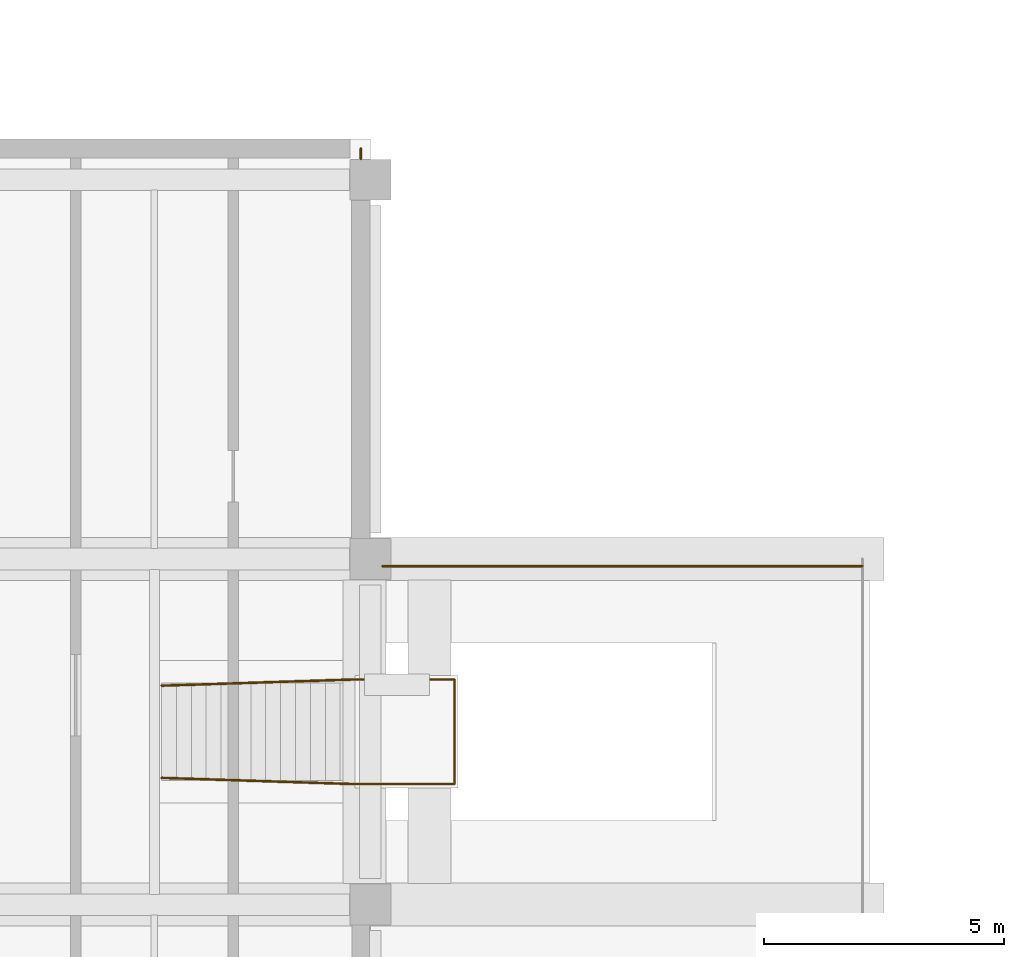
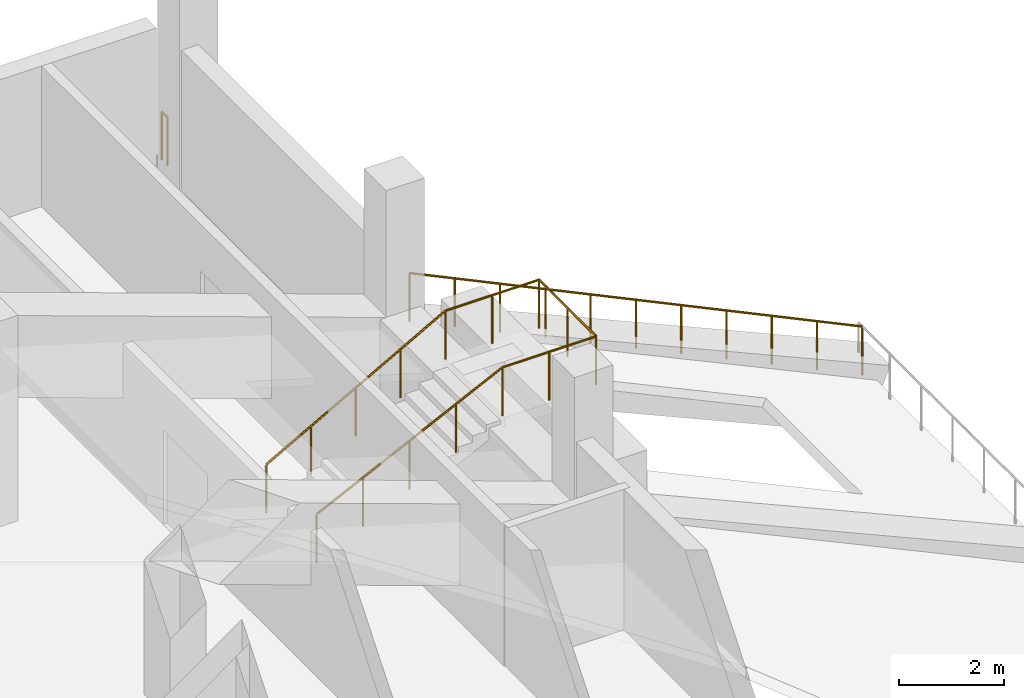
# One storey, part 64 of 66: 3 railings.
"""IFC4 building model written with IfcOpenShell, lengths in metres."""

from ifc_helpers import new_model, si_unit, direction, frame, origin, origin_2d, place, context, subcontext, project, spatial, circle, extrude, material, type_object, element, save


model = new_model("IFC4")

# Units and contexts
model_context = context("Model", 3, precision=1e-05, world=origin(), true_north=direction((0.0, 1.0)))
body_context = subcontext(model_context, "Body", "Model", "MODEL_VIEW")
ifc_project = project(units=[si_unit("LENGTHUNIT", "METRE"), si_unit("AREAUNIT", "SQUARE_METRE"), si_unit("VOLUMEUNIT", "CUBIC_METRE"), si_unit("PLANEANGLEUNIT", "RADIAN"), si_unit("MASSUNIT", "GRAM", prefix="KILO"), si_unit("THERMODYNAMICTEMPERATUREUNIT", "KELVIN"), si_unit("POWERUNIT", "WATT")], contexts=[model_context])

# Site, building, storey
site_placement = place(None, origin())
site = spatial("IfcSite", under=ifc_project, at=site_placement, CompositionType="ELEMENT")
building_placement = place(site_placement, origin())
building = spatial("IfcBuilding", under=site, at=building_placement, Name="Sindhuravela Promenade Stadium", CompositionType="ELEMENT")
storey_placement = place(building_placement, frame((0.0, 0.0, 19.199951171875)))
storey = spatial("IfcBuildingStorey", under=building, at=storey_placement, Name="L04", CompositionType="ELEMENT", Elevation=19.199951171875)

# Railings
ifc_material = material(Name="Architectural wrought steel E350", Category="steel")
railing_type = type_object("IfcRailingType", Name="RL-GRD-1150", PredefinedType="GUARDRAIL", material=ifc_material)
railing_1_placement = place(storey_placement, frame((35.800048828125, 125.550048828125, 0.0)))
element("IfcRailing", 1, at=railing_1_placement, inside=storey, type_object=railing_type, Name="Perimeter edge return guard WEST L04", PredefinedType="GUARDRAIL", context=body_context, shape_type="SweptSolid", body=[
    extrude(circle(Radius=0.02392578125, at=origin_2d()), frame((0.0, 0.0, 1.1259765625), z_axis=(0.0, -1.0, 0.0), x_axis=(1.0, 0.0, 0.0)), (0.0, 0.0, 1.0), 0.219970703125),
    extrude(circle(Radius=0.02099609375, at=origin_2d()), origin(), (0.0, 0.0, 1.0), 1.101806640625),
    extrude(circle(Radius=0.02099609375, at=origin_2d()), frame((0.0, -0.219970703125, 0.0)), (0.0, 0.0, 1.0), 1.101806640625),
])
railing_2_placement = place(storey_placement, frame((46.25, 116.85009765625, -3.39990234375)))
element("IfcRailing", 2, at=railing_2_placement, inside=storey, type_object=railing_type, Name="Stand bowl crowd barrier GR01-107", PredefinedType="GUARDRAIL", context=body_context, shape_type="SweptSolid", body=[
    extrude(circle(Radius=0.02392578125, at=origin_2d()), frame((0.0, 0.0, 1.1259765625), z_axis=(-0.9032775043542898, 0.0, 0.42905681456828765), x_axis=(0.0, -1.0, 0.0)), (0.0, 0.0, 1.0), 11.07080078125),
    extrude(circle(Radius=0.02099609375, at=origin_2d()), origin(), (0.0, 0.0, 1.0), 1.101806640625),
    extrude(circle(Radius=0.02099609375, at=origin_2d()), frame((-1.0, 0.0, 0.47509765625)), (0.0, 0.0, 1.0), 1.101806640625),
    extrude(circle(Radius=0.02099609375, at=origin_2d()), frame((-2.0, 0.0, 0.949951171875)), (0.0, 0.0, 1.0), 1.101806640625),
    extrude(circle(Radius=0.02099609375, at=origin_2d()), frame((-3.0, 0.0, 1.425048828125)), (0.0, 0.0, 1.0), 1.101806640625),
    extrude(circle(Radius=0.02099609375, at=origin_2d()), frame((-4.0, 0.0, 1.89990234375)), (0.0, 0.0, 1.0), 1.101806640625),
    extrude(circle(Radius=0.02099609375, at=origin_2d()), frame((-5.0, 0.0, 2.375)), (0.0, 0.0, 1.0), 1.101806640625),
    extrude(circle(Radius=0.02099609375, at=origin_2d()), frame((-6.0, 0.0, 2.85009765625)), (0.0, 0.0, 1.0), 1.101806640625),
    extrude(circle(Radius=0.02099609375, at=origin_2d()), frame((-7.0, 0.0, 3.324951171875)), (0.0, 0.0, 1.0), 1.101806640625),
    extrude(circle(Radius=0.02099609375, at=origin_2d()), frame((-8.0, 0.0, 3.800048828125)), (0.0, 0.0, 1.0), 1.101806640625),
    extrude(circle(Radius=0.02099609375, at=origin_2d()), frame((-9.0, 0.0, 4.27490234375)), (0.0, 0.0, 1.0), 1.101806640625),
    extrude(circle(Radius=0.02099609375, at=origin_2d()), frame((-10.0, 0.0, 4.75)), (0.0, 0.0, 1.0), 1.101806640625),
])
railing_3_placement = place(storey_placement, frame((31.64990234375, 112.43994140625, 0.0)))
element("IfcRailing", 3, at=railing_3_placement, inside=storey, type_object=railing_type, Name="Vomitory CS02 flight & platform guard", PredefinedType="GUARDRAIL", context=body_context, shape_type="SweptSolid", body=[
    extrude(circle(Radius=0.02392578125, at=origin_2d()), frame((0.0, 0.0, 1.1259765625), z_axis=(0.8864507420042823, -0.028569200626781255, 0.4619403454728804), x_axis=(0.032212026586737615, 0.9994810580211989, 0.0)), (0.0, 0.0, 1.0), 4.546142578125),
    extrude(circle(Radius=0.02392578125, at=origin_2d()), frame((4.030029296875, -0.1298828125, 3.22607421875), z_axis=(1.0, 0.0, 0.0), x_axis=(0.0, 1.0, 0.0)), (0.0, 0.0, 1.0), 2.070068359375),
    extrude(circle(Radius=0.02392578125, at=origin_2d()), frame((6.10009765625, -0.1298828125, 3.22607421875), z_axis=(0.0, 1.0, 0.0), x_axis=(-1.0, 0.0, 0.0)), (0.0, 0.0, 1.0), 2.179931640625),
    extrude(circle(Radius=0.02392578125, at=origin_2d()), frame((6.10009765625, 2.050048828125, 3.22607421875), z_axis=(-1.0, 0.0, 0.0), x_axis=(0.0, -1.0, 0.0)), (0.0, 0.0, 1.0), 2.070068359375),
    extrude(circle(Radius=0.02392578125, at=origin_2d()), frame((4.030029296875, 2.050048828125, 3.22607421875), z_axis=(-0.8864507420042823, -0.028569200626781255, -0.4619403454728804), x_axis=(0.032212026586737615, -0.9994810580211989, 0.0)), (0.0, 0.0, 1.0), 4.546142578125),
    extrude(circle(Radius=0.02099609375, at=origin_2d()), origin(), (0.0, 0.0, 1.0), 1.101806640625),
    extrude(circle(Radius=0.02099609375, at=origin_2d()), frame((1.007568359375, -0.032470703125, 0.52490234375)), (0.0, 0.0, 1.0), 1.101806640625),
    extrude(circle(Radius=0.02099609375, at=origin_2d()), frame((2.01513671875, -0.06494140625, 1.050048828125)), (0.0, 0.0, 1.0), 1.101806640625),
    extrude(circle(Radius=0.02099609375, at=origin_2d()), frame((3.0224609375, -0.097412109375, 1.5751953125)), (0.0, 0.0, 1.0), 1.101806640625),
    extrude(circle(Radius=0.02099609375, at=origin_2d()), frame((4.030029296875, -0.1298828125, 2.10009765625)), (0.0, 0.0, 1.0), 1.101806640625),
    extrude(circle(Radius=0.02099609375, at=origin_2d()), frame((5.06494140625, -0.1298828125, 2.10009765625)), (0.0, 0.0, 1.0), 1.101806640625),
    extrude(circle(Radius=0.02099609375, at=origin_2d()), frame((6.10009765625, -0.1298828125, 2.10009765625)), (0.0, 0.0, 1.0), 1.101806640625),
    extrude(circle(Radius=0.02099609375, at=origin_2d()), frame((6.10009765625, 0.9599609375, 2.10009765625)), (0.0, 0.0, 1.0), 1.101806640625),
    extrude(circle(Radius=0.02099609375, at=origin_2d()), frame((6.10009765625, 2.050048828125, 2.10009765625)), (0.0, 0.0, 1.0), 1.101806640625),
    extrude(circle(Radius=0.02099609375, at=origin_2d()), frame((5.06494140625, 2.050048828125, 2.10009765625)), (0.0, 0.0, 1.0), 1.101806640625),
    extrude(circle(Radius=0.02099609375, at=origin_2d()), frame((4.030029296875, 2.050048828125, 2.10009765625)), (0.0, 0.0, 1.0), 1.101806640625),
    extrude(circle(Radius=0.02099609375, at=origin_2d()), frame((3.0224609375, 2.017578125, 1.5751953125)), (0.0, 0.0, 1.0), 1.101806640625),
    extrude(circle(Radius=0.02099609375, at=origin_2d()), frame((2.01513671875, 1.985107421875, 1.050048828125)), (0.0, 0.0, 1.0), 1.101806640625),
    extrude(circle(Radius=0.02099609375, at=origin_2d()), frame((1.007568359375, 1.95263671875, 0.52490234375)), (0.0, 0.0, 1.0), 1.101806640625),
    extrude(circle(Radius=0.02099609375, at=origin_2d()), frame((0.0, 1.920166015625, 0.0)), (0.0, 0.0, 1.0), 1.101806640625),
])

save(model, "model.ifc")
